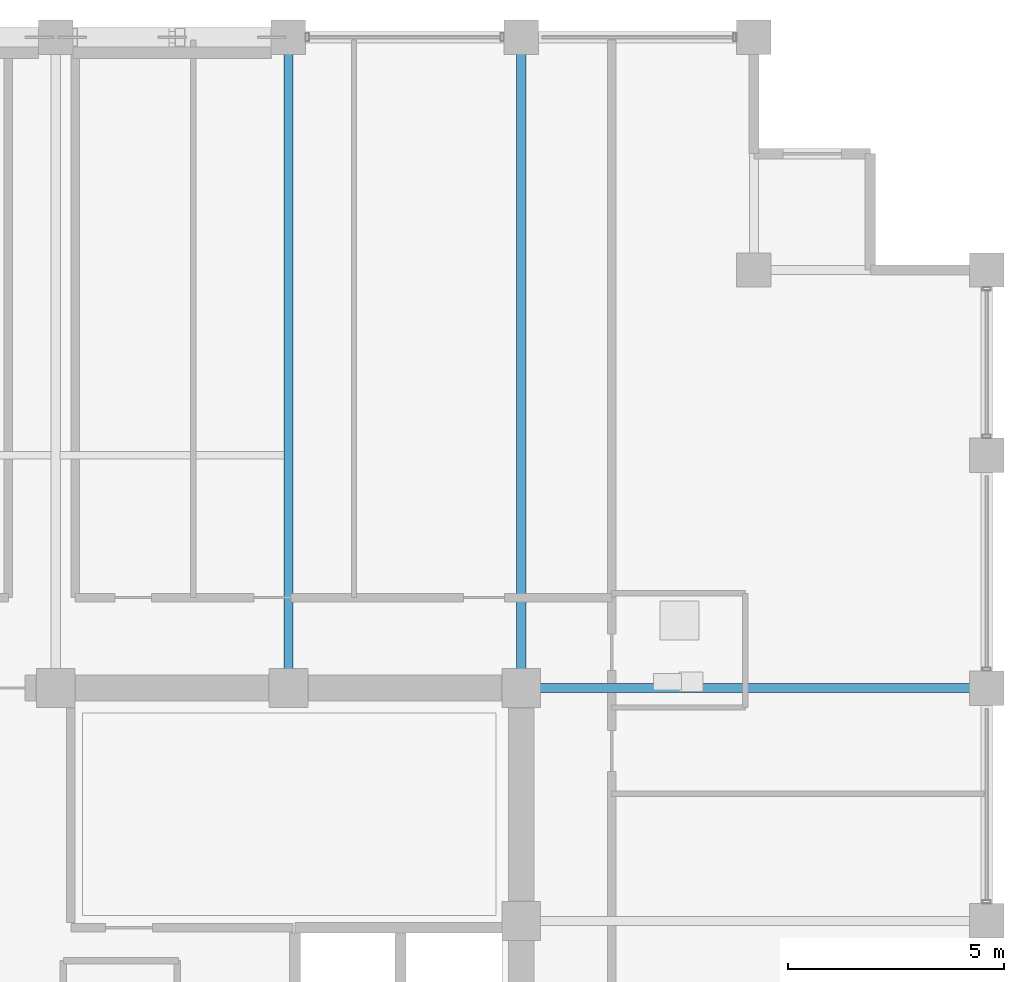
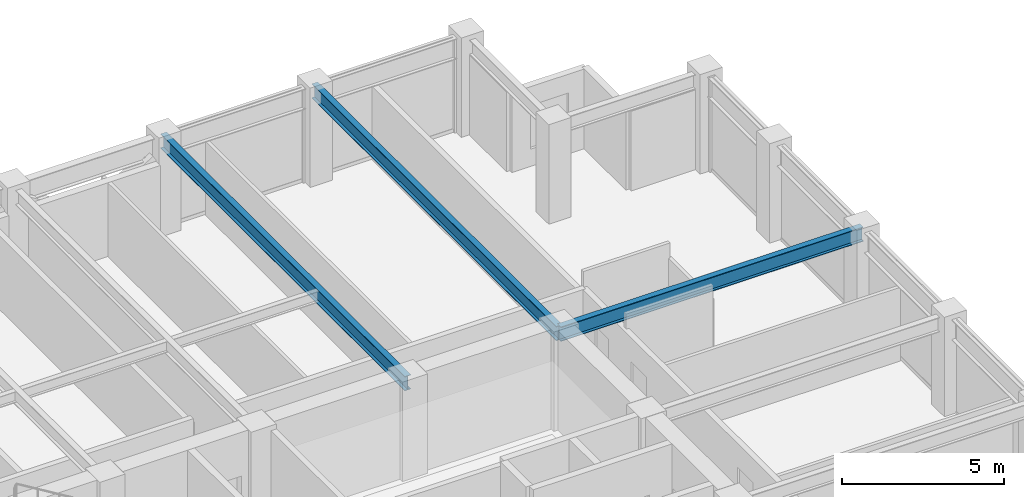
# One storey, part 22 of 32: 3 beams.
"""IFC4 building model written with IfcOpenShell, lengths in metres."""

from ifc_helpers import new_model, si_unit, direction, frame, origin, origin_2d, place, context, subcontext, project, spatial, i_section, extrude, material, material_profile, profile_set, type_object, element, save


model = new_model("IFC4")

# Units and contexts
model_context = context("Model", 3, precision=1e-05, world=origin(), true_north=direction((0.0, 1.0)))
body_context = subcontext(model_context, "Body", "Model", "MODEL_VIEW")
ifc_project = project(units=[si_unit("LENGTHUNIT", "METRE"), si_unit("AREAUNIT", "SQUARE_METRE"), si_unit("VOLUMEUNIT", "CUBIC_METRE"), si_unit("PLANEANGLEUNIT", "RADIAN"), si_unit("MASSUNIT", "GRAM", prefix="KILO")], contexts=[model_context])

# Site, building, storey
site_placement = place(None, origin())
site = spatial("IfcSite", under=ifc_project, at=site_placement, CompositionType="ELEMENT")
building_placement = place(site_placement, origin())
building = spatial("IfcBuilding", under=site, at=building_placement, Name="Surkhivell Harbour Commons", CompositionType="ELEMENT")
storey_placement = place(building_placement, frame((0.0, 0.0, 216.0)))
storey = spatial("IfcBuildingStorey", under=building, at=storey_placement, Name="L56", CompositionType="ELEMENT", Elevation=216.0)

# Beams
ifc_material = material(Name="Steel S355", Category="steel")
ifc_material_profile = material_profile(ifc_material, i_section(OverallWidth=0.2119140625, OverallDepth=0.5439453125, WebThickness=0.0126953125, FlangeThickness=0.021240234375, at=origin_2d()), Name="UB533x210x122")
ifc_profile_set = profile_set([ifc_material_profile], Name="Steel S355")
beam_type = type_object("IfcBeamType", Name="BM-GRD-533A", PredefinedType="BEAM", material=ifc_profile_set)
for number, where, z_axis, x_axis, name in (
    (1, (5.39990234375, 10.800048828125, 3.298095703125), (0.0, 1.0, 0.0), (-1.0, 0.0, 0.0), "L56 Floor Girder (5.4,10.8)"),
    (2, (10.800048828125, 10.800048828125, 3.298095703125), (0.0, 1.0, 0.0), (-1.0, 0.0, 0.0), "L56 Floor Girder (10.8,10.8)"),
):
    element("IfcBeam", number, at=place(storey_placement, frame(where, z_axis=z_axis, x_axis=x_axis)), inside=storey, type_object=beam_type, Name=name, PredefinedType="BEAM", context=body_context, shape_type="SweptSolid", body=[
        extrude(i_section(OverallWidth=0.2119140625, OverallDepth=0.5439453125, WebThickness=0.0126953125, FlangeThickness=0.021240234375, at=origin_2d()), origin(), (0.0, 0.0, 1.0), 15.099853515625),
    ])
beam_placement = place(storey_placement, frame((10.800048828125, 10.800048828125, 3.298095703125), z_axis=(1.0, 0.0, 0.0), x_axis=(0.0, 1.0, 0.0)))
element("IfcBeam", 3, at=beam_placement, inside=storey, type_object=beam_type, Name="L56 Floor Girder (10.8,10.8)", PredefinedType="BEAM", context=body_context, shape_type="SweptSolid", body=[
    extrude(i_section(OverallWidth=0.2119140625, OverallDepth=0.5439453125, WebThickness=0.0126953125, FlangeThickness=0.021240234375, at=origin_2d()), origin(), (0.0, 0.0, 1.0), 10.800048828125),
])

save(model, "model.ifc")
